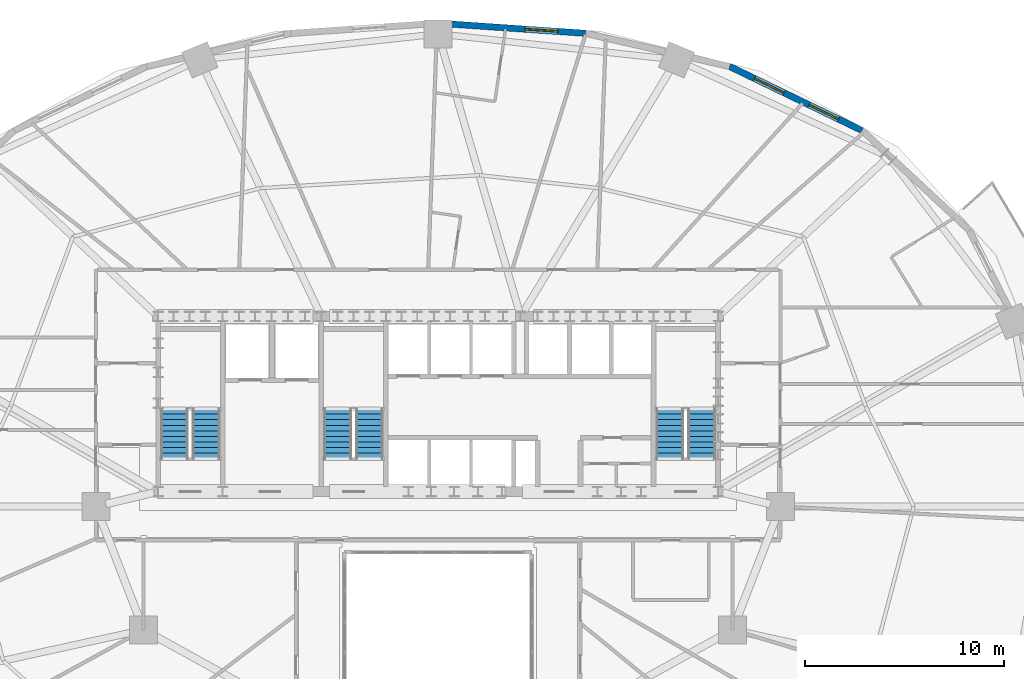
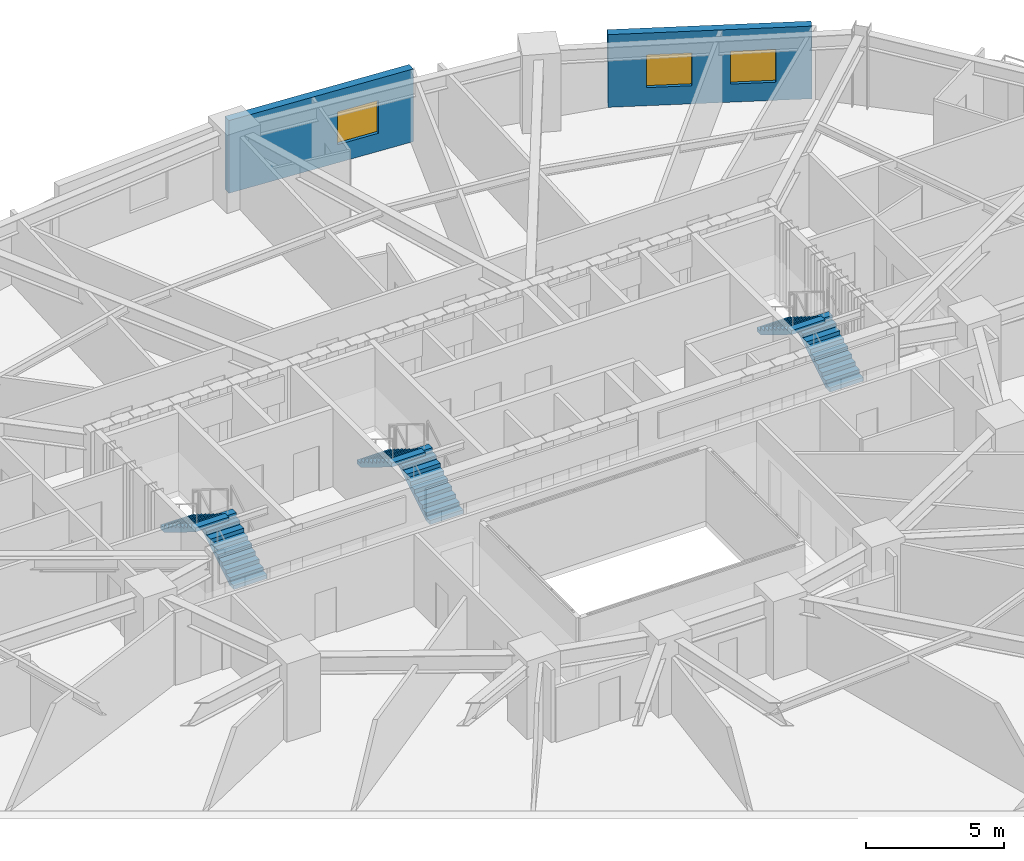
# One storey, part 14 of 18: 6 stair flights, 3 windows, 2 walls, 3 openings, 3 elements without a shape of their own.
"""IFC4 building model written with IfcOpenShell, lengths in metres."""

import ifcopenshell
import ifcopenshell.guid

model = None  # the IFC model being written
_history = None  # IfcOwnerHistory: only IFC2X3 demands one
_inside = {}  # id of a spatial element -> (the spatial element, [elements in it])
_under = {}  # id of a project, library or spatial element -> (it, [spatial elements below it])
_declared = {}  # id of a project -> (the project, [libraries it declares])
_typed = {}  # id of a type object -> (the type object, [elements of that type])
_made_of = {}  # id of a material, layer set ... -> (it, [elements and type objects made of it])


def new_model(schema):
    """Start an empty IFC model of exactly this schema.

    Asked for "IFC4X3", IfcOpenShell would pick the latest addendum, in which some entities
    have other attributes; the version numbers below select the first issue.
    IFC2X3 requires an IfcOwnerHistory on every rooted entity: one is made here for all.
    """
    global model, _history
    if schema == "IFC4X3":
        model = ifcopenshell.file(schema_version=(4, 3, 0, 0))
    else:
        model = ifcopenshell.file(schema=schema)
    _inside.clear()
    _under.clear()
    _declared.clear()
    _typed.clear()
    _made_of.clear()
    _history = None
    if model.schema == "IFC2X3":
        org = make("IfcOrganization", Name="unknown")
        user = make(
            "IfcPersonAndOrganization",
            ThePerson=make("IfcPerson", FamilyName="unknown"),
            TheOrganization=org,
        )
        app = make(
            "IfcApplication",
            ApplicationDeveloper=org,
            Version="unknown",
            ApplicationFullName="unknown",
            ApplicationIdentifier="unknown",
        )
        _history = make(
            "IfcOwnerHistory",
            OwningUser=user,
            OwningApplication=app,
            ChangeAction="ADDED",
            CreationDate=0,
        )
    return model


def make(cls, **values):
    """One entity of the class cls with the attributes given. An attribute that is None is left unset."""
    return model.create_entity(
        cls, **{name: value for name, value in values.items() if value is not None}
    )


def rooted(cls, **values):
    """An entity with a GlobalId (a new one), such as an element, a storey or a relation."""
    return make(cls, GlobalId=ifcopenshell.guid.new(), OwnerHistory=_history, **values)


def si_unit(unit_type, name, prefix=None):
    """IfcSIUnit, for example si_unit("LENGTHUNIT", "METRE", prefix="MILLI")."""
    return make("IfcSIUnit", UnitType=unit_type, Prefix=prefix, Name=name)


def assignment(units):
    """IfcUnitAssignment: the units of a project."""
    return None if units is None else make("IfcUnitAssignment", Units=units)


def point(xyz):
    """IfcCartesianPoint."""
    return None if xyz is None else make("IfcCartesianPoint", Coordinates=xyz)


def direction(xyz):
    """IfcDirection."""
    return None if xyz is None else make("IfcDirection", DirectionRatios=xyz)


def frame(location, z_axis=None, x_axis=None):
    """IfcAxis2Placement3D, a coordinate frame: its origin and axes. An axis left out is left unset."""
    return make(
        "IfcAxis2Placement3D",
        Location=point(location),
        Axis=direction(z_axis),
        RefDirection=direction(x_axis),
    )


def frame_2d(location, x_axis=None):
    """IfcAxis2Placement2D, a coordinate frame in the plane: its origin and x axis."""
    return make(
        "IfcAxis2Placement2D", Location=point(location), RefDirection=direction(x_axis)
    )


def origin():
    """The frame at (0, 0, 0) with its axes left unset."""
    return frame((0.0, 0.0, 0.0))


def place(relative_to, where):
    """IfcLocalPlacement: puts the frame where relative to a parent placement (None: the world)."""
    return make(
        "IfcLocalPlacement", PlacementRelTo=relative_to, RelativePlacement=where
    )


def context(
    kind, dimensions, precision=None, world=None, true_north=None, identifier=None
):
    """IfcGeometricRepresentationContext, for example the 3D "Model" context."""
    return make(
        "IfcGeometricRepresentationContext",
        ContextIdentifier=identifier,
        ContextType=kind,
        CoordinateSpaceDimension=dimensions,
        Precision=precision,
        WorldCoordinateSystem=world,
        TrueNorth=true_north,
    )


def subcontext(parent, identifier, kind, view, scale=None):
    """IfcGeometricRepresentationSubContext, for example "Body" below "Model"."""
    return make(
        "IfcGeometricRepresentationSubContext",
        ContextIdentifier=identifier,
        ContextType=kind,
        ParentContext=parent,
        TargetScale=scale,
        TargetView=view,
    )


def project(units=None, contexts=None):
    """IfcProject with its units and contexts."""
    return rooted(
        "IfcProject",
        Name="project",
        RepresentationContexts=contexts,
        UnitsInContext=assignment(units),
    )


def spatial(cls, under=None, at=None, **own):
    """A site, building, storey or space (cls), placed at a placement, below another one or the project."""
    s = rooted(cls, ObjectPlacement=at, **own)
    if under is not None:
        _under.setdefault(under.id(), (under, []))[1].append(s)
    return s


def polyline(points):
    """IfcPolyline through the points."""
    return make("IfcPolyline", Points=[point(p) for p in points])


def profile(cls, at=None, kind="AREA", **sizes):
    """A parametric profile (cls). Its sizes go by their IFC names, for example OverallWidth=200.0."""
    return make(cls, ProfileType=kind, Position=at, **sizes)


def rectangle(**sizes):
    """IfcRectangleProfileDef."""
    return profile("IfcRectangleProfileDef", **sizes)


def outline(outer, holes=None, kind="AREA"):
    """IfcArbitraryClosedProfileDef: a profile drawn as a closed curve; with holes, ...WithVoids."""
    if holes is None:
        return make("IfcArbitraryClosedProfileDef", ProfileType=kind, OuterCurve=outer)
    return make(
        "IfcArbitraryProfileDefWithVoids",
        ProfileType=kind,
        OuterCurve=outer,
        InnerCurves=holes,
    )


def extrude(swept, where, along, depth):
    """IfcExtrudedAreaSolid: the profile swept, set in the frame where, extruded along a direction by depth."""
    return make(
        "IfcExtrudedAreaSolid",
        SweptArea=swept,
        Position=where,
        ExtrudedDirection=direction(along),
        Depth=depth,
    )


def shape(context_of_items, identifier, shape_type, items):
    """IfcShapeRepresentation: the items that make up one representation, for example the "Body"."""
    return make(
        "IfcShapeRepresentation",
        ContextOfItems=context_of_items,
        RepresentationIdentifier=identifier,
        RepresentationType=shape_type,
        Items=items,
    )


def material(Name=None, Category=None):
    """IfcMaterial."""
    return make("IfcMaterial", Name=Name, Category=Category)


def layer(
    of_material, thickness, ventilated=None, Name=None, Category=None, Priority=None
):
    """IfcMaterialLayer: one layer of a wall or slab, of a material (None: an air gap)."""
    return make(
        "IfcMaterialLayer",
        Material=of_material,
        LayerThickness=thickness,
        IsVentilated=ventilated,
        Name=Name,
        Category=Category,
        Priority=Priority,
    )


def layer_set(layers, Name=None):
    """IfcMaterialLayerSet."""
    return make("IfcMaterialLayerSet", MaterialLayers=layers, LayerSetName=Name)


def made_of(thing, what):
    """Note that an element or type object is made of a material, layer set ...; save() writes the relation."""
    if what is not None:
        _made_of.setdefault(what.id(), (what, []))[1].append(thing)
    return thing


def type_object(cls, material=None, **own):
    """A type object (cls), such as IfcWallType, which elements share."""
    return made_of(rooted(cls, **own), material)


def element(
    cls,
    number,
    at=None,
    inside=None,
    cuts=None,
    type_object=None,
    material=None,
    context=None,
    identifier="Body",
    shape_type=None,
    held_by="IfcProductDefinitionShape",
    body=None,
    shapes=None,
    **own,
):
    """One element of the class cls, such as IfcWall. Its Tag is "e" and its number.

    at: its placement. inside: the storey or other place that contains it. cuts: it is an
    opening in that element (IfcRelVoidsElement). A single representation is given by context,
    identifier, shape_type and body (its items); several are given by shapes. held_by: the class
    of the entity that holds the representations. save() writes the other relations.
    """
    e = rooted(cls, Tag="e%d" % number, ObjectPlacement=at, **own)
    if body is not None:
        shapes = [shape(context, identifier, shape_type, body)]
    if shapes is not None:
        e.Representation = make(held_by, Representations=shapes)
    if inside is not None:
        _inside.setdefault(inside.id(), (inside, []))[1].append(e)
    if cuts is not None:
        rooted(
            "IfcRelVoidsElement", RelatingBuildingElement=cuts, RelatedOpeningElement=e
        )
    if type_object is not None:
        _typed.setdefault(type_object.id(), (type_object, []))[1].append(e)
    return made_of(e, material)


def fill(opening, filler):
    """IfcRelFillsElement: the door or window that sits in an opening."""
    return rooted(
        "IfcRelFillsElement",
        RelatingOpeningElement=opening,
        RelatedBuildingElement=filler,
    )


def aggregate(whole, parts):
    """IfcRelAggregates: a whole, such as a stair, and the parts it consists of."""
    return rooted("IfcRelAggregates", RelatingObject=whole, RelatedObjects=parts)


def save(model, path):
    """Write the relations noted so far, then the file.

    IfcRelAggregates (storeys below a building ...), IfcRelContainedInSpatialStructure (elements
    in a storey), IfcRelDefinesByType, IfcRelAssociatesMaterial and IfcRelDeclares: one each for
    every whole, place, type object, material and project.
    """
    for whole, parts in _under.values():
        aggregate(whole, parts)
    for where, things in _inside.values():
        rooted(
            "IfcRelContainedInSpatialStructure",
            RelatedElements=things,
            RelatingStructure=where,
        )
    for kind, things in _typed.values():
        rooted("IfcRelDefinesByType", RelatedObjects=things, RelatingType=kind)
    for what, things in _made_of.values():
        rooted("IfcRelAssociatesMaterial", RelatedObjects=things, RelatingMaterial=what)
    for by, libraries in _declared.values():
        rooted("IfcRelDeclares", RelatingContext=by, RelatedDefinitions=libraries)
    model.write(path)


model = new_model("IFC4")

# Units and contexts
model_context = context("Model", 3, precision=1e-05, world=origin(), true_north=direction((0.0, 1.0)))
body_context = subcontext(model_context, "Body", "Model", "MODEL_VIEW")
ifc_project = project(units=[si_unit("LENGTHUNIT", "METRE"), si_unit("AREAUNIT", "SQUARE_METRE"), si_unit("VOLUMEUNIT", "CUBIC_METRE"), si_unit("PLANEANGLEUNIT", "RADIAN"), si_unit("MASSUNIT", "GRAM", prefix="KILO")], contexts=[model_context])

# Site, building, storey
site_placement = place(None, origin())
site = spatial("IfcSite", under=ifc_project, at=site_placement, CompositionType="ELEMENT")
building_placement = place(site_placement, origin())
building = spatial("IfcBuilding", under=site, at=building_placement, Name="Haldorwick Loom Tower", CompositionType="ELEMENT")
storey_placement = place(building_placement, frame((0.0, 0.0, 41.25)))
storey = spatial("IfcBuildingStorey", under=building, at=storey_placement, Name="L10", CompositionType="ELEMENT", Elevation=41.25)

# Wall, openings, windows
ifc_material_1 = material(Name="Pressed Clay Face Brick and Insulated Masonry Backup Assembly", Category="masonry")
ifc_layer = layer(ifc_material_1, 0.320068359375, Name="Pressed Clay Face Brick and Insulated Masonry Backup Assembly", Category="masonry")
ifc_layer_set = layer_set([ifc_layer], Name="Pressed Clay Face Brick and Insulated Masonry Backup Assembly")
wall_type = type_object("IfcWallType", Name="ARC-WL-EXT320", PredefinedType="STANDARD", material=ifc_layer_set)
wall_1_placement = place(storey_placement, frame((57.30419921875, 44.89599609375, 0.0), z_axis=(0.0, 0.0, 1.0), x_axis=(-0.900295710431, 0.435278800057, 0.0)))
wall_1 = element("IfcWall", 1, at=wall_1_placement, inside=storey, type_object=wall_type, Name="L10 Brick Pier and Spandrel Wall 4", PredefinedType="STANDARD", context=body_context, shape_type="SweptSolid", body=[
    extrude(rectangle(XDim=7.39697265625, YDim=0.320068359375, at=frame_2d((3.698486328125, 0.0))), origin(), (0.0, 0.0, 1.0), 3.2099609375),
])
opening_1_placement = place(wall_1_placement, frame((1.30517578125, 0.0, 0.800048828125)))
opening_1 = element("IfcOpeningElement", 2, at=opening_1_placement, cuts=wall_1, Name="Opening W-01B", PredefinedType="OPENING", context=body_context, shape_type="SweptSolid", body=[
    extrude(rectangle(XDim=1.64990234375, YDim=1.449951171875, at=frame_2d((0.824951171875, 0.72509765625))), frame((0.0, 0.169921875, 0.0), z_axis=(0.0, -1.0, 0.0), x_axis=(1.0, 0.0, 0.0)), (0.0, 0.0, 1.0), 0.340087890625),
])
opening_2_placement = place(wall_1_placement, frame((4.352783203125, 0.0, 0.800048828125)))
opening_2 = element("IfcOpeningElement", 3, at=opening_2_placement, cuts=wall_1, Name="Opening W-01B", PredefinedType="OPENING", context=body_context, shape_type="SweptSolid", body=[
    extrude(rectangle(XDim=1.64990234375, YDim=1.449951171875, at=frame_2d((0.824951171875, 0.72509765625))), frame((0.0, 0.169921875, 0.0), z_axis=(0.0, -1.0, 0.0), x_axis=(1.0, 0.0, 0.0)), (0.0, 0.0, 1.0), 0.340087890625),
])
ifc_material_2 = material(Name="Triple-Glazed Low-E Argon Insulated Glazing Unit", Category="glass")
window_type = type_object("IfcWindowType", Name="ARC-WIN-W165", PartitioningType="SINGLE_PANEL", PredefinedType="WINDOW", material=ifc_material_2)
window_1_placement = place(opening_1_placement, origin())
window_1 = element("IfcWindow", 4, at=window_1_placement, inside=storey, type_object=window_type, Name="L10 Deep-Set Zone 7A Window 4", OverallHeight=1.449951171875, OverallWidth=1.64990234375, PartitioningType="SINGLE_PANEL", PredefinedType="WINDOW", context=body_context, shape_type="SweptSolid", body=[
    extrude(rectangle(XDim=1.64990234375, YDim=1.449951171875, at=frame_2d((0.824951171875, 0.72509765625))), frame((0.0, 0.030029296875, 0.0), z_axis=(0.0, -1.0, 0.0), x_axis=(1.0, 0.0, 0.0)), (0.0, 0.0, 1.0), 0.06005859375),
])
fill(opening_1, window_1)
window_2_placement = place(opening_2_placement, origin())
window_2 = element("IfcWindow", 5, at=window_2_placement, inside=storey, type_object=window_type, Name="L10 Deep-Set Zone 7A Window 4", OverallHeight=1.449951171875, OverallWidth=1.64990234375, PartitioningType="SINGLE_PANEL", PredefinedType="WINDOW", context=body_context, shape_type="SweptSolid", body=[
    extrude(rectangle(XDim=1.64990234375, YDim=1.449951171875, at=frame_2d((0.824951171875, 0.72509765625))), frame((0.0, 0.030029296875, 0.0), z_axis=(0.0, -1.0, 0.0), x_axis=(1.0, 0.0, 0.0)), (0.0, 0.0, 1.0), 0.06005859375),
])
fill(opening_2, window_2)

# Wall, opening, window
wall_2_placement = place(storey_placement, frame((43.411376953125, 49.780517578125, 0.0), z_axis=(0.0, 0.0, 1.0), x_axis=(-0.997645161917, 0.068586667092, 0.0)))
wall_2 = element("IfcWall", 6, at=wall_2_placement, inside=storey, type_object=wall_type, Name="L10 Brick Pier and Spandrel Wall 6", PredefinedType="STANDARD", context=body_context, shape_type="SweptSolid", body=[
    extrude(rectangle(XDim=7.428955078125, YDim=0.320068359375, at=frame_2d((3.71435546875, 0.0))), origin(), (0.0, 0.0, 1.0), 3.2099609375),
])
opening_3_placement = place(wall_2_placement, frame((1.403564453125, 0.0, 0.800048828125)))
opening_3 = element("IfcOpeningElement", 7, at=opening_3_placement, cuts=wall_2, Name="Opening W-01B", PredefinedType="OPENING", context=body_context, shape_type="SweptSolid", body=[
    extrude(rectangle(XDim=1.64990234375, YDim=1.449951171875, at=frame_2d((0.824951171875, 0.72509765625))), frame((0.0, 0.169921875, 0.0), z_axis=(0.0, -1.0, 0.0), x_axis=(1.0, 0.0, 0.0)), (0.0, 0.0, 1.0), 0.340087890625),
])
window_3_placement = place(opening_3_placement, origin())
window_3 = element("IfcWindow", 8, at=window_3_placement, inside=storey, type_object=window_type, Name="L10 Deep-Set Zone 7A Window 6", OverallHeight=1.449951171875, OverallWidth=1.64990234375, PartitioningType="SINGLE_PANEL", PredefinedType="WINDOW", context=body_context, shape_type="SweptSolid", body=[
    extrude(rectangle(XDim=1.64990234375, YDim=1.449951171875, at=frame_2d((0.824951171875, 0.72509765625))), frame((0.0, 0.030029296875, 0.0), z_axis=(0.0, -1.0, 0.0), x_axis=(1.0, 0.0, 0.0)), (0.0, 0.0, 1.0), 0.06005859375),
])
fill(opening_3, window_3)

# Stair, stair flights
ifc_material_3 = material(Name="Concrete C40 (40 MPa)", Category="concrete")
stair_type = type_object("IfcStairType", Name="STR-STR-CORE", PredefinedType="HALF_TURN_STAIR", material=ifc_material_3)
stair_1_placement = place(storey_placement, origin())
stair_1 = element("IfcStair", 9, at=stair_1_placement, inside=storey, type_object=stair_type, Name="L10 Exit Stair ST-01", PredefinedType="HALF_TURN_STAIR")
stair_flight_type = type_object("IfcStairFlightType", Name="STR-STF-1250", PredefinedType="STRAIGHT", material=ifc_material_3)
stair_flight_1_placement = place(storey_placement, frame((24.35009765625, 28.39990234375, 0.0), z_axis=(0.0, 0.0, 1.0), x_axis=(0.0, 1.0, 0.0)))
stair_flight_1 = element("IfcStairFlight", 10, at=stair_flight_1_placement, type_object=stair_flight_type, Name="ST-01 flight 1", NumberOfRisers=10, NumberOfTreads=9, PredefinedType="STRAIGHT", RiserHeight=0.1725, TreadLength=0.28, context=body_context, shape_type="SweptSolid", body=[
    extrude(outline(polyline([(0.0, 0.0), (0.0, 0.172607421875), (0.280029296875, 0.172607421875), (0.280029296875, 0.344970703125), (0.56005859375, 0.344970703125), (0.56005859375, 0.517578125), (0.840087890625, 0.517578125), (0.840087890625, 0.68994140625), (1.1201171875, 0.68994140625), (1.1201171875, 0.862548828125), (1.39990234375, 0.862548828125), (1.39990234375, 1.034912109375), (1.679931640625, 1.034912109375), (1.679931640625, 1.20751953125), (1.9599609375, 1.20751953125), (1.9599609375, 1.3798828125), (2.239990234375, 1.3798828125), (2.239990234375, 1.552490234375), (2.52001953125, 1.552490234375), (2.52001953125, 1.72509765625), (2.52001953125, 1.37646484375), (0.285888671875, 0.0), (0.0, 0.0)])), frame((0.0, 0.699951171875, 0.0), z_axis=(0.0, -1.0, 0.0), x_axis=(1.0, 0.0, 0.0)), (0.0, 0.0, 1.0), 1.39990234375),
])
stair_flight_2_placement = place(storey_placement, frame((22.75, 30.919921875, 1.72509765625), z_axis=(0.0, 0.0, 1.0), x_axis=(0.0, -1.0, 0.0)))
stair_flight_2 = element("IfcStairFlight", 11, at=stair_flight_2_placement, type_object=stair_flight_type, Name="ST-01 flight 2", NumberOfRisers=10, NumberOfTreads=9, PredefinedType="STRAIGHT", RiserHeight=0.1725, TreadLength=0.28, context=body_context, shape_type="SweptSolid", body=[
    extrude(outline(polyline([(0.0, 0.0), (0.0, 0.172607421875), (0.280029296875, 0.172607421875), (0.280029296875, 0.344970703125), (0.56005859375, 0.344970703125), (0.56005859375, 0.517578125), (0.840087890625, 0.517578125), (0.840087890625, 0.68994140625), (1.1201171875, 0.68994140625), (1.1201171875, 0.862548828125), (1.39990234375, 0.862548828125), (1.39990234375, 1.034912109375), (1.679931640625, 1.034912109375), (1.679931640625, 1.20751953125), (1.9599609375, 1.20751953125), (1.9599609375, 1.3798828125), (2.239990234375, 1.3798828125), (2.239990234375, 1.552490234375), (2.52001953125, 1.552490234375), (2.52001953125, 1.72509765625), (2.52001953125, 1.37646484375), (0.285888671875, 0.0), (0.0, 0.0)])), frame((0.0, 0.699951171875, 0.0), z_axis=(0.0, -1.0, 0.0), x_axis=(1.0, 0.0, 0.0)), (0.0, 0.0, 1.0), 1.39990234375),
])
aggregate(stair_1, [stair_flight_1, stair_flight_2])

stair_2_placement = place(storey_placement, origin())
stair_2 = element("IfcStair", 12, at=stair_2_placement, inside=storey, type_object=stair_type, Name="L10 Exit Stair ST-02", PredefinedType="HALF_TURN_STAIR")
stair_flight_3_placement = place(storey_placement, frame((49.25, 28.39990234375, 0.0), z_axis=(0.0, 0.0, 1.0), x_axis=(0.0, 1.0, 0.0)))
stair_flight_3 = element("IfcStairFlight", 13, at=stair_flight_3_placement, type_object=stair_flight_type, Name="ST-02 flight 1", NumberOfRisers=10, NumberOfTreads=9, PredefinedType="STRAIGHT", RiserHeight=0.1725, TreadLength=0.28, context=body_context, shape_type="SweptSolid", body=[
    extrude(outline(polyline([(0.0, 0.0), (0.0, 0.172607421875), (0.280029296875, 0.172607421875), (0.280029296875, 0.344970703125), (0.56005859375, 0.344970703125), (0.56005859375, 0.517578125), (0.840087890625, 0.517578125), (0.840087890625, 0.68994140625), (1.1201171875, 0.68994140625), (1.1201171875, 0.862548828125), (1.39990234375, 0.862548828125), (1.39990234375, 1.034912109375), (1.679931640625, 1.034912109375), (1.679931640625, 1.20751953125), (1.9599609375, 1.20751953125), (1.9599609375, 1.3798828125), (2.239990234375, 1.3798828125), (2.239990234375, 1.552490234375), (2.52001953125, 1.552490234375), (2.52001953125, 1.72509765625), (2.52001953125, 1.37646484375), (0.285888671875, 0.0), (0.0, 0.0)])), frame((0.0, 0.699951171875, 0.0), z_axis=(0.0, -1.0, 0.0), x_axis=(1.0, 0.0, 0.0)), (0.0, 0.0, 1.0), 1.39990234375),
])
stair_flight_4_placement = place(storey_placement, frame((47.64990234375, 30.919921875, 1.72509765625), z_axis=(0.0, 0.0, 1.0), x_axis=(0.0, -1.0, 0.0)))
stair_flight_4 = element("IfcStairFlight", 14, at=stair_flight_4_placement, type_object=stair_flight_type, Name="ST-02 flight 2", NumberOfRisers=10, NumberOfTreads=9, PredefinedType="STRAIGHT", RiserHeight=0.1725, TreadLength=0.28, context=body_context, shape_type="SweptSolid", body=[
    extrude(outline(polyline([(0.0, 0.0), (0.0, 0.172607421875), (0.280029296875, 0.172607421875), (0.280029296875, 0.344970703125), (0.56005859375, 0.344970703125), (0.56005859375, 0.517578125), (0.840087890625, 0.517578125), (0.840087890625, 0.68994140625), (1.1201171875, 0.68994140625), (1.1201171875, 0.862548828125), (1.39990234375, 0.862548828125), (1.39990234375, 1.034912109375), (1.679931640625, 1.034912109375), (1.679931640625, 1.20751953125), (1.9599609375, 1.20751953125), (1.9599609375, 1.3798828125), (2.239990234375, 1.3798828125), (2.239990234375, 1.552490234375), (2.52001953125, 1.552490234375), (2.52001953125, 1.72509765625), (2.52001953125, 1.37646484375), (0.285888671875, 0.0), (0.0, 0.0)])), frame((0.0, 0.699951171875, 0.0), z_axis=(0.0, -1.0, 0.0), x_axis=(1.0, 0.0, 0.0)), (0.0, 0.0, 1.0), 1.39990234375),
])
aggregate(stair_2, [stair_flight_3, stair_flight_4])

stair_3_placement = place(storey_placement, origin())
stair_3 = element("IfcStair", 15, at=stair_3_placement, inside=storey, type_object=stair_type, Name="L10 Exit Stair ST-03", PredefinedType="HALF_TURN_STAIR")
stair_flight_5_placement = place(storey_placement, frame((32.550048828125, 28.39990234375, 0.0), z_axis=(0.0, 0.0, 1.0), x_axis=(0.0, 1.0, 0.0)))
stair_flight_5 = element("IfcStairFlight", 16, at=stair_flight_5_placement, type_object=stair_flight_type, Name="ST-03 flight 1", NumberOfRisers=10, NumberOfTreads=9, PredefinedType="STRAIGHT", RiserHeight=0.1725, TreadLength=0.28, context=body_context, shape_type="SweptSolid", body=[
    extrude(outline(polyline([(0.0, 0.0), (0.0, 0.172607421875), (0.280029296875, 0.172607421875), (0.280029296875, 0.344970703125), (0.56005859375, 0.344970703125), (0.56005859375, 0.517578125), (0.840087890625, 0.517578125), (0.840087890625, 0.68994140625), (1.1201171875, 0.68994140625), (1.1201171875, 0.862548828125), (1.39990234375, 0.862548828125), (1.39990234375, 1.034912109375), (1.679931640625, 1.034912109375), (1.679931640625, 1.20751953125), (1.9599609375, 1.20751953125), (1.9599609375, 1.3798828125), (2.239990234375, 1.3798828125), (2.239990234375, 1.552490234375), (2.52001953125, 1.552490234375), (2.52001953125, 1.72509765625), (2.52001953125, 1.37646484375), (0.285888671875, 0.0), (0.0, 0.0)])), frame((0.0, 0.699951171875, 0.0), z_axis=(0.0, -1.0, 0.0), x_axis=(1.0, 0.0, 0.0)), (0.0, 0.0, 1.0), 1.39990234375),
])
stair_flight_6_placement = place(storey_placement, frame((30.949951171875, 30.919921875, 1.72509765625), z_axis=(0.0, 0.0, 1.0), x_axis=(0.0, -1.0, 0.0)))
stair_flight_6 = element("IfcStairFlight", 17, at=stair_flight_6_placement, type_object=stair_flight_type, Name="ST-03 flight 2", NumberOfRisers=10, NumberOfTreads=9, PredefinedType="STRAIGHT", RiserHeight=0.1725, TreadLength=0.28, context=body_context, shape_type="SweptSolid", body=[
    extrude(outline(polyline([(0.0, 0.0), (0.0, 0.172607421875), (0.280029296875, 0.172607421875), (0.280029296875, 0.344970703125), (0.56005859375, 0.344970703125), (0.56005859375, 0.517578125), (0.840087890625, 0.517578125), (0.840087890625, 0.68994140625), (1.1201171875, 0.68994140625), (1.1201171875, 0.862548828125), (1.39990234375, 0.862548828125), (1.39990234375, 1.034912109375), (1.679931640625, 1.034912109375), (1.679931640625, 1.20751953125), (1.9599609375, 1.20751953125), (1.9599609375, 1.3798828125), (2.239990234375, 1.3798828125), (2.239990234375, 1.552490234375), (2.52001953125, 1.552490234375), (2.52001953125, 1.72509765625), (2.52001953125, 1.37646484375), (0.285888671875, 0.0), (0.0, 0.0)])), frame((0.0, 0.699951171875, 0.0), z_axis=(0.0, -1.0, 0.0), x_axis=(1.0, 0.0, 0.0)), (0.0, 0.0, 1.0), 1.39990234375),
])
aggregate(stair_3, [stair_flight_5, stair_flight_6])

save(model, "model.ifc")
